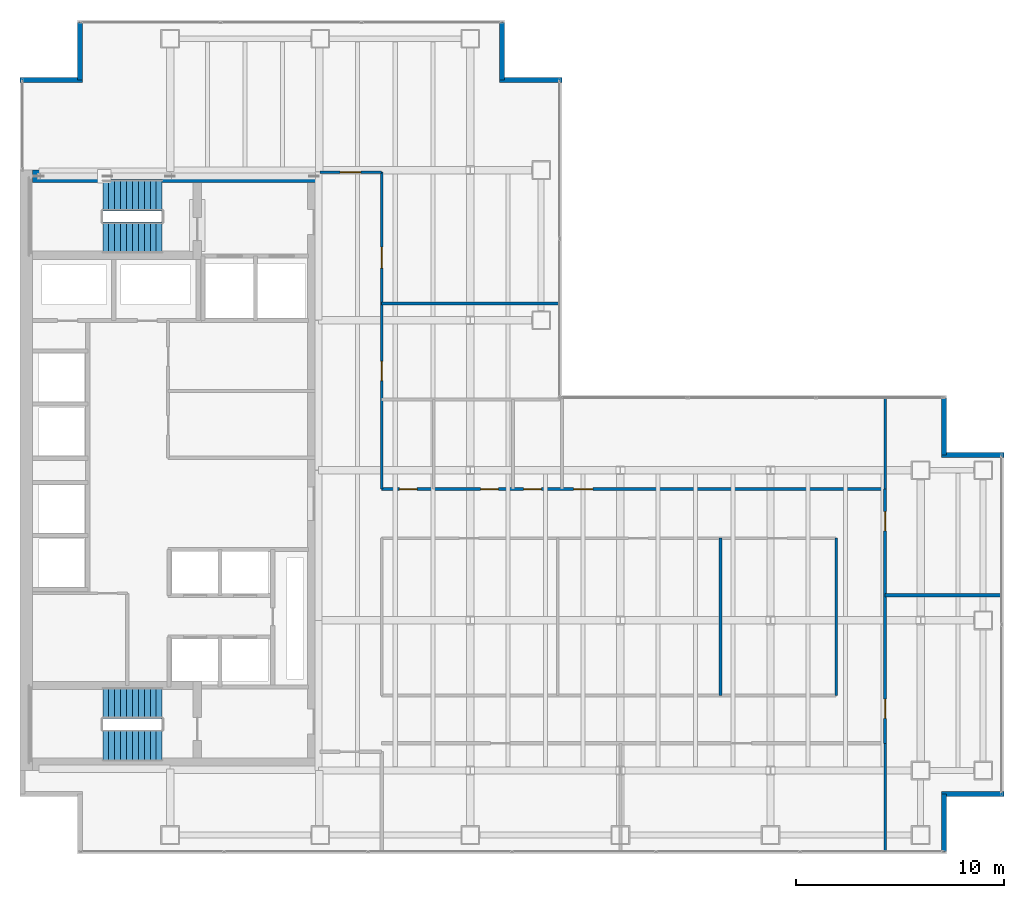
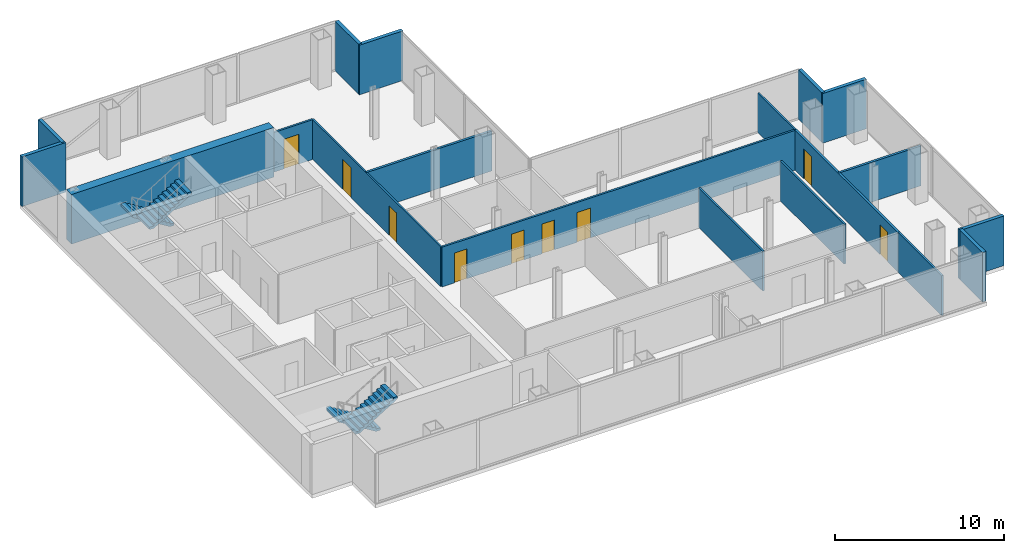
# One storey, part 22 of 23: 19 walls, 9 doors, 4 stair flights, 9 openings, 2 elements without a shape of their own.
"""IFC4 building model written with IfcOpenShell, lengths in metres."""

import ifcopenshell
import ifcopenshell.guid

model = None  # the IFC model being written
_history = None  # IfcOwnerHistory: only IFC2X3 demands one
_inside = {}  # id of a spatial element -> (the spatial element, [elements in it])
_under = {}  # id of a project, library or spatial element -> (it, [spatial elements below it])
_declared = {}  # id of a project -> (the project, [libraries it declares])
_typed = {}  # id of a type object -> (the type object, [elements of that type])
_made_of = {}  # id of a material, layer set ... -> (it, [elements and type objects made of it])


def new_model(schema):
    """Start an empty IFC model of exactly this schema.

    Asked for "IFC4X3", IfcOpenShell would pick the latest addendum, in which some entities
    have other attributes; the version numbers below select the first issue.
    IFC2X3 requires an IfcOwnerHistory on every rooted entity: one is made here for all.
    """
    global model, _history
    if schema == "IFC4X3":
        model = ifcopenshell.file(schema_version=(4, 3, 0, 0))
    else:
        model = ifcopenshell.file(schema=schema)
    _inside.clear()
    _under.clear()
    _declared.clear()
    _typed.clear()
    _made_of.clear()
    _history = None
    if model.schema == "IFC2X3":
        org = make("IfcOrganization", Name="unknown")
        user = make(
            "IfcPersonAndOrganization",
            ThePerson=make("IfcPerson", FamilyName="unknown"),
            TheOrganization=org,
        )
        app = make(
            "IfcApplication",
            ApplicationDeveloper=org,
            Version="unknown",
            ApplicationFullName="unknown",
            ApplicationIdentifier="unknown",
        )
        _history = make(
            "IfcOwnerHistory",
            OwningUser=user,
            OwningApplication=app,
            ChangeAction="ADDED",
            CreationDate=0,
        )
    return model


def make(cls, **values):
    """One entity of the class cls with the attributes given. An attribute that is None is left unset."""
    return model.create_entity(
        cls, **{name: value for name, value in values.items() if value is not None}
    )


def rooted(cls, **values):
    """An entity with a GlobalId (a new one), such as an element, a storey or a relation."""
    return make(cls, GlobalId=ifcopenshell.guid.new(), OwnerHistory=_history, **values)


def si_unit(unit_type, name, prefix=None):
    """IfcSIUnit, for example si_unit("LENGTHUNIT", "METRE", prefix="MILLI")."""
    return make("IfcSIUnit", UnitType=unit_type, Prefix=prefix, Name=name)


def assignment(units):
    """IfcUnitAssignment: the units of a project."""
    return None if units is None else make("IfcUnitAssignment", Units=units)


def point(xyz):
    """IfcCartesianPoint."""
    return None if xyz is None else make("IfcCartesianPoint", Coordinates=xyz)


def direction(xyz):
    """IfcDirection."""
    return None if xyz is None else make("IfcDirection", DirectionRatios=xyz)


def frame(location, z_axis=None, x_axis=None):
    """IfcAxis2Placement3D, a coordinate frame: its origin and axes. An axis left out is left unset."""
    return make(
        "IfcAxis2Placement3D",
        Location=point(location),
        Axis=direction(z_axis),
        RefDirection=direction(x_axis),
    )


def frame_2d(location, x_axis=None):
    """IfcAxis2Placement2D, a coordinate frame in the plane: its origin and x axis."""
    return make(
        "IfcAxis2Placement2D", Location=point(location), RefDirection=direction(x_axis)
    )


def origin():
    """The frame at (0, 0, 0) with its axes left unset."""
    return frame((0.0, 0.0, 0.0))


def place(relative_to, where):
    """IfcLocalPlacement: puts the frame where relative to a parent placement (None: the world)."""
    return make(
        "IfcLocalPlacement", PlacementRelTo=relative_to, RelativePlacement=where
    )


def context(
    kind, dimensions, precision=None, world=None, true_north=None, identifier=None
):
    """IfcGeometricRepresentationContext, for example the 3D "Model" context."""
    return make(
        "IfcGeometricRepresentationContext",
        ContextIdentifier=identifier,
        ContextType=kind,
        CoordinateSpaceDimension=dimensions,
        Precision=precision,
        WorldCoordinateSystem=world,
        TrueNorth=true_north,
    )


def subcontext(parent, identifier, kind, view, scale=None):
    """IfcGeometricRepresentationSubContext, for example "Body" below "Model"."""
    return make(
        "IfcGeometricRepresentationSubContext",
        ContextIdentifier=identifier,
        ContextType=kind,
        ParentContext=parent,
        TargetScale=scale,
        TargetView=view,
    )


def project(units=None, contexts=None):
    """IfcProject with its units and contexts."""
    return rooted(
        "IfcProject",
        Name="project",
        RepresentationContexts=contexts,
        UnitsInContext=assignment(units),
    )


def spatial(cls, under=None, at=None, **own):
    """A site, building, storey or space (cls), placed at a placement, below another one or the project."""
    s = rooted(cls, ObjectPlacement=at, **own)
    if under is not None:
        _under.setdefault(under.id(), (under, []))[1].append(s)
    return s


def polyline(points):
    """IfcPolyline through the points."""
    return make("IfcPolyline", Points=[point(p) for p in points])


def profile(cls, at=None, kind="AREA", **sizes):
    """A parametric profile (cls). Its sizes go by their IFC names, for example OverallWidth=200.0."""
    return make(cls, ProfileType=kind, Position=at, **sizes)


def rectangle(**sizes):
    """IfcRectangleProfileDef."""
    return profile("IfcRectangleProfileDef", **sizes)


def outline(outer, holes=None, kind="AREA"):
    """IfcArbitraryClosedProfileDef: a profile drawn as a closed curve; with holes, ...WithVoids."""
    if holes is None:
        return make("IfcArbitraryClosedProfileDef", ProfileType=kind, OuterCurve=outer)
    return make(
        "IfcArbitraryProfileDefWithVoids",
        ProfileType=kind,
        OuterCurve=outer,
        InnerCurves=holes,
    )


def extrude(swept, where, along, depth):
    """IfcExtrudedAreaSolid: the profile swept, set in the frame where, extruded along a direction by depth."""
    return make(
        "IfcExtrudedAreaSolid",
        SweptArea=swept,
        Position=where,
        ExtrudedDirection=direction(along),
        Depth=depth,
    )


def shape(context_of_items, identifier, shape_type, items):
    """IfcShapeRepresentation: the items that make up one representation, for example the "Body"."""
    return make(
        "IfcShapeRepresentation",
        ContextOfItems=context_of_items,
        RepresentationIdentifier=identifier,
        RepresentationType=shape_type,
        Items=items,
    )


def material(Name=None, Category=None):
    """IfcMaterial."""
    return make("IfcMaterial", Name=Name, Category=Category)


def layer(
    of_material, thickness, ventilated=None, Name=None, Category=None, Priority=None
):
    """IfcMaterialLayer: one layer of a wall or slab, of a material (None: an air gap)."""
    return make(
        "IfcMaterialLayer",
        Material=of_material,
        LayerThickness=thickness,
        IsVentilated=ventilated,
        Name=Name,
        Category=Category,
        Priority=Priority,
    )


def layer_set(layers, Name=None):
    """IfcMaterialLayerSet."""
    return make("IfcMaterialLayerSet", MaterialLayers=layers, LayerSetName=Name)


def made_of(thing, what):
    """Note that an element or type object is made of a material, layer set ...; save() writes the relation."""
    if what is not None:
        _made_of.setdefault(what.id(), (what, []))[1].append(thing)
    return thing


def type_object(cls, material=None, **own):
    """A type object (cls), such as IfcWallType, which elements share."""
    return made_of(rooted(cls, **own), material)


def element(
    cls,
    number,
    at=None,
    inside=None,
    cuts=None,
    type_object=None,
    material=None,
    context=None,
    identifier="Body",
    shape_type=None,
    held_by="IfcProductDefinitionShape",
    body=None,
    shapes=None,
    **own,
):
    """One element of the class cls, such as IfcWall. Its Tag is "e" and its number.

    at: its placement. inside: the storey or other place that contains it. cuts: it is an
    opening in that element (IfcRelVoidsElement). A single representation is given by context,
    identifier, shape_type and body (its items); several are given by shapes. held_by: the class
    of the entity that holds the representations. save() writes the other relations.
    """
    e = rooted(cls, Tag="e%d" % number, ObjectPlacement=at, **own)
    if body is not None:
        shapes = [shape(context, identifier, shape_type, body)]
    if shapes is not None:
        e.Representation = make(held_by, Representations=shapes)
    if inside is not None:
        _inside.setdefault(inside.id(), (inside, []))[1].append(e)
    if cuts is not None:
        rooted(
            "IfcRelVoidsElement", RelatingBuildingElement=cuts, RelatedOpeningElement=e
        )
    if type_object is not None:
        _typed.setdefault(type_object.id(), (type_object, []))[1].append(e)
    return made_of(e, material)


def fill(opening, filler):
    """IfcRelFillsElement: the door or window that sits in an opening."""
    return rooted(
        "IfcRelFillsElement",
        RelatingOpeningElement=opening,
        RelatedBuildingElement=filler,
    )


def aggregate(whole, parts):
    """IfcRelAggregates: a whole, such as a stair, and the parts it consists of."""
    return rooted("IfcRelAggregates", RelatingObject=whole, RelatedObjects=parts)


def save(model, path):
    """Write the relations noted so far, then the file.

    IfcRelAggregates (storeys below a building ...), IfcRelContainedInSpatialStructure (elements
    in a storey), IfcRelDefinesByType, IfcRelAssociatesMaterial and IfcRelDeclares: one each for
    every whole, place, type object, material and project.
    """
    for whole, parts in _under.values():
        aggregate(whole, parts)
    for where, things in _inside.values():
        rooted(
            "IfcRelContainedInSpatialStructure",
            RelatedElements=things,
            RelatingStructure=where,
        )
    for kind, things in _typed.values():
        rooted("IfcRelDefinesByType", RelatedObjects=things, RelatingType=kind)
    for what, things in _made_of.values():
        rooted("IfcRelAssociatesMaterial", RelatedObjects=things, RelatingMaterial=what)
    for by, libraries in _declared.values():
        rooted("IfcRelDeclares", RelatingContext=by, RelatedDefinitions=libraries)
    model.write(path)


model = new_model("IFC4")

# Units and contexts
model_context = context("Model", 3, precision=1e-05, world=origin(), true_north=direction((0.0, 1.0)))
body_context = subcontext(model_context, "Body", "Model", "MODEL_VIEW")
ifc_project = project(units=[si_unit("LENGTHUNIT", "METRE"), si_unit("AREAUNIT", "SQUARE_METRE"), si_unit("VOLUMEUNIT", "CUBIC_METRE"), si_unit("PLANEANGLEUNIT", "RADIAN"), si_unit("MASSUNIT", "GRAM", prefix="KILO")], contexts=[model_context])

# Site, building, storey
site_placement = place(None, origin())
site = spatial("IfcSite", under=ifc_project, at=site_placement, CompositionType="ELEMENT")
building_placement = place(site_placement, origin())
building = spatial("IfcBuilding", under=site, at=building_placement, Name="Cobrela Telecom Tower", CompositionType="ELEMENT")
storey_placement = place(building_placement, frame((0.0, 0.0, 125.300048828125)))
storey = spatial("IfcBuildingStorey", under=building, at=storey_placement, Name="L31", CompositionType="ELEMENT", Elevation=125.300048828125)

# Walls
ifc_material_1 = material(Name="Concrete C50/60", Category="concrete")
ifc_layer_1 = layer(ifc_material_1, 0.60009765625)
ifc_layer_set_1 = layer_set([ifc_layer_1], Name="Concrete C50/60")
wall_type_1 = type_object("IfcWallType", Name="WALL-CORE-C50-600", PredefinedType="SHEAR", material=ifc_layer_set_1)
wall_1_placement = place(storey_placement, frame((0.60009765625, 35.699951171875, 0.0), z_axis=(0.0, 0.0, 1.0), x_axis=(1.0, 0.0, 0.0)))
element("IfcWall", 1, at=wall_1_placement, inside=storey, type_object=wall_type_1, Name="L31 North Core Shear Wall", PredefinedType="SHEAR", context=body_context, shape_type="SweptSolid", body=[
    extrude(rectangle(XDim=13.7998046875, YDim=0.60009765625, at=frame_2d((6.89990234375, 0.0))), origin(), (0.0, 0.0, 1.0), 3.579833984375),
])
ifc_material_2 = material(Name="Concrete C40/50", Category="concrete")
ifc_layer_2 = layer(ifc_material_2, 0.239990234375)
ifc_layer_set_2 = layer_set([ifc_layer_2], Name="Concrete C40/50")
wall_type_2 = type_object("IfcWallType", Name="WALL-EXT-300", PredefinedType="STANDARD", material=ifc_layer_set_2)
wall_2_placement = place(storey_placement, frame((0.0, 40.330078125, 0.0), z_axis=(0.0, 0.0, 1.0), x_axis=(1.0, 0.0, 0.0)))
element("IfcWall", 2, at=wall_2_placement, inside=storey, type_object=wall_type_2, Name="L31 Insulated Facade Wall 05", PredefinedType="STANDARD", context=body_context, shape_type="SweptSolid", body=[
    extrude(rectangle(XDim=2.989990234375, YDim=0.239990234375, at=frame_2d((1.4951171875, 0.0))), origin(), (0.0, 0.0, 1.0), 3.579833984375),
])
for number, where, z_axis, x_axis, name in (
    (3, (2.8701171875, 40.330078125, 0.0), (0.0, 0.0, 1.0), (0.0, 1.0, 0.0), "L31 Insulated Facade Wall 06"),
    (4, (23.1298828125, 43.080078125, 0.0), (0.0, 0.0, 1.0), (0.0, -1.0, 0.0), "L31 Insulated Facade Wall 08"),
):
    element("IfcWall", number, at=place(storey_placement, frame(where, z_axis=z_axis, x_axis=x_axis)), inside=storey, type_object=wall_type_2, Name=name, PredefinedType="STANDARD", context=body_context, shape_type="SweptSolid", body=[
        extrude(rectangle(XDim=2.75, YDim=0.239990234375, at=frame_2d((1.375, 0.0))), origin(), (0.0, 0.0, 1.0), 3.579833984375),
    ])
wall_3_placement = place(storey_placement, frame((23.010009765625, 40.330078125, 0.0), z_axis=(0.0, 0.0, 1.0), x_axis=(1.0, 0.0, 0.0)))
element("IfcWall", 5, at=wall_3_placement, inside=storey, type_object=wall_type_2, Name="L31 Insulated Facade Wall 09", PredefinedType="STANDARD", context=body_context, shape_type="SweptSolid", body=[
    extrude(rectangle(XDim=2.989990234375, YDim=0.239990234375, at=frame_2d((1.4951171875, 0.0))), origin(), (0.0, 0.0, 1.0), 3.579833984375),
])
wall_4_placement = place(storey_placement, frame((44.330078125, 25.080078125, 0.0), z_axis=(0.0, 0.0, 1.0), x_axis=(0.0, -1.0, 0.0)))
element("IfcWall", 6, at=wall_4_placement, inside=storey, type_object=wall_type_2, Name="L31 Insulated Facade Wall 12", PredefinedType="STANDARD", context=body_context, shape_type="SweptSolid", body=[
    extrude(rectangle(XDim=2.75, YDim=0.239990234375, at=frame_2d((1.375, 0.0))), origin(), (0.0, 0.0, 1.0), 3.579833984375),
])
for number, where, z_axis, x_axis, name in (
    (7, (44.2099609375, 22.330078125, 0.0), (0.0, 0.0, 1.0), (1.0, 0.0, 0.0), "L31 Insulated Facade Wall 13"),
    (8, (47.199951171875, 6.070068359375, 0.0), (0.0, 0.0, 1.0), (-1.0, 0.0, 0.0), "L31 Insulated Facade Wall 15"),
):
    element("IfcWall", number, at=place(storey_placement, frame(where, z_axis=z_axis, x_axis=x_axis)), inside=storey, type_object=wall_type_2, Name=name, PredefinedType="STANDARD", context=body_context, shape_type="SweptSolid", body=[
        extrude(rectangle(XDim=2.989990234375, YDim=0.239990234375, at=frame_2d((1.4951171875, 0.0))), origin(), (0.0, 0.0, 1.0), 3.579833984375),
    ])
wall_5_placement = place(storey_placement, frame((44.330078125, 6.070068359375, 0.0), z_axis=(0.0, 0.0, 1.0), x_axis=(0.0, -1.0, 0.0)))
element("IfcWall", 9, at=wall_5_placement, inside=storey, type_object=wall_type_2, Name="L31 Insulated Facade Wall 16", PredefinedType="STANDARD", context=body_context, shape_type="SweptSolid", body=[
    extrude(rectangle(XDim=2.75, YDim=0.239990234375, at=frame_2d((1.375, 0.0))), origin(), (0.0, 0.0, 1.0), 3.579833984375),
])

# Wall, openings, doors
ifc_material_3 = material(Name="Fire-Rated Gypsum Plasterboard")
ifc_layer_3 = layer(ifc_material_3, 0.110107421875)
ifc_layer_set_3 = layer_set([ifc_layer_3], Name="Fire-Rated Gypsum Plasterboard")
wall_type_3 = type_object("IfcWallType", Name="WALL-PART-110", PredefinedType="PARTITIONING", material=ifc_layer_set_3)
wall_6_placement = place(storey_placement, frame((17.35009765625, 20.699951171875, 0.0), z_axis=(0.0, 0.0, 1.0), x_axis=(0.0, 1.0, 0.0)))
wall_6 = element("IfcWall", 10, at=wall_6_placement, inside=storey, type_object=wall_type_3, Name="L31 Interior Partition W-UW-E2", PredefinedType="PARTITIONING", context=body_context, shape_type="SweptSolid", body=[
    extrude(rectangle(XDim=15.199951171875, YDim=0.110107421875, at=frame_2d((7.60009765625, 0.0))), origin(), (0.0, 0.0, 1.0), 2.868896484375),
])
opening_1_placement = place(wall_6_placement, frame((5.199951171875, 0.0, 0.0)))
opening_1 = element("IfcOpeningElement", 11, at=opening_1_placement, cuts=wall_6, Name="Opening DR-45", PredefinedType="OPENING", context=body_context, shape_type="SweptSolid", body=[
    extrude(rectangle(XDim=0.919921875, YDim=2.14990234375, at=frame_2d((0.4599609375, 1.074951171875))), frame((0.0, 0.06689453125, 0.0), z_axis=(0.0, -1.0, 0.0), x_axis=(1.0, 0.0, 0.0)), (0.0, 0.0, 1.0), 0.134033203125),
])
opening_2_placement = place(wall_6_placement, frame((10.60009765625, 0.0, 0.0)))
opening_2 = element("IfcOpeningElement", 12, at=opening_2_placement, cuts=wall_6, Name="Opening DR-31", PredefinedType="OPENING", context=body_context, shape_type="SweptSolid", body=[
    extrude(rectangle(XDim=1.0, YDim=2.14990234375, at=frame_2d((0.5, 1.074951171875))), frame((0.0, 0.06689453125, 0.0), z_axis=(0.0, -1.0, 0.0), x_axis=(1.0, 0.0, 0.0)), (0.0, 0.0, 1.0), 0.134033203125),
])
ifc_material_4 = material(Name="Solid Engineered Oak Timber", Category="wood")
door_type_1 = type_object("IfcDoorType", Name="DOOR-INT-1000", OperationType="SINGLE_SWING_LEFT", PredefinedType="DOOR", material=ifc_material_4)
door_1_placement = place(opening_2_placement, origin())
door_1 = element("IfcDoor", 13, at=door_1_placement, inside=storey, type_object=door_type_1, Name="L31 Door DR-31", OperationType="SINGLE_SWING_LEFT", OverallHeight=2.14990234375, OverallWidth=1.0, PredefinedType="DOOR", context=body_context, shape_type="SweptSolid", body=[
    extrude(rectangle(XDim=1.0, YDim=2.14990234375, at=frame_2d((0.5, 1.074951171875))), frame((0.0, 0.02490234375, 0.0), z_axis=(0.0, -1.0, 0.0), x_axis=(1.0, 0.0, 0.0)), (0.0, 0.0, 1.0), 0.050048828125),
])
fill(opening_2, door_1)
door_type_2 = type_object("IfcDoorType", Name="DOOR-INT-920", OperationType="SINGLE_SWING_LEFT", PredefinedType="DOOR", material=ifc_material_4)
door_2_placement = place(opening_1_placement, origin())
door_2 = element("IfcDoor", 14, at=door_2_placement, inside=storey, type_object=door_type_2, Name="L31 Door DR-45", OperationType="SINGLE_SWING_RIGHT", OverallHeight=2.14990234375, OverallWidth=0.919921875, PredefinedType="DOOR", context=body_context, shape_type="SweptSolid", body=[
    extrude(rectangle(XDim=0.919921875, YDim=2.14990234375, at=frame_2d((0.4599609375, 1.074951171875))), frame((0.0, 0.02490234375, 0.0), z_axis=(0.0, -1.0, 0.0), x_axis=(1.0, 0.0, 0.0)), (0.0, 0.0, 1.0), 0.050048828125),
])
fill(opening_1, door_2)

# Walls
wall_7_placement = place(storey_placement, frame((41.5, 20.699951171875, 0.0), z_axis=(0.0, 0.0, 1.0), x_axis=(0.0, 1.0, 0.0)))
element("IfcWall", 15, at=wall_7_placement, inside=storey, type_object=wall_type_3, Name="L31 Interior Partition W-UFE-N", PredefinedType="PARTITIONING", context=body_context, shape_type="SweptSolid", body=[
    extrude(rectangle(XDim=4.380126953125, YDim=0.110107421875, at=frame_2d((2.18994140625, 0.0))), origin(), (0.0, 0.0, 1.0), 2.868896484375),
])
ifc_layer_4 = layer(ifc_material_3, 0.125)
ifc_layer_set_4 = layer_set([ifc_layer_4], Name="Fire-Rated Gypsum Plasterboard")
wall_type_4 = type_object("IfcWallType", Name="WALL-PART-125", PredefinedType="PARTITIONING", material=ifc_layer_set_4)
for number, where, z_axis, x_axis, name in (
    (16, (39.14990234375, 10.800048828125, 0.0), (0.0, 0.0, 1.0), (0.0, 1.0, 0.0), "L31 Interior Partition W-ISL-E"),
    (17, (33.60009765625, 10.800048828125, 0.0), (0.0, 0.0, 1.0), (0.0, 1.0, 0.0), "L31 Interior Partition W-ISLV-2"),
):
    element("IfcWall", number, at=place(storey_placement, frame(where, z_axis=z_axis, x_axis=x_axis)), inside=storey, type_object=wall_type_4, Name=name, PredefinedType="PARTITIONING", context=body_context, shape_type="SweptSolid", body=[
        extrude(rectangle(XDim=7.550048828125, YDim=0.125, at=frame_2d((3.77490234375, 0.0))), origin(), (0.0, 0.0, 1.0), 2.868896484375),
    ])

# Wall, opening, door
ifc_layer_5 = layer(ifc_material_3, 0.135009765625)
ifc_layer_set_5 = layer_set([ifc_layer_5], Name="Fire-Rated Gypsum Plasterboard")
wall_type_5 = type_object("IfcWallType", Name="WALL-PART-135", PredefinedType="PARTITIONING", material=ifc_layer_set_5)
wall_8_placement = place(storey_placement, frame((14.39990234375, 35.89990234375, 0.0), z_axis=(0.0, 0.0, 1.0), x_axis=(1.0, 0.0, 0.0)))
wall_8 = element("IfcWall", 18, at=wall_8_placement, inside=storey, type_object=wall_type_5, Name="L31 Interior Partition W-UW-N0", PredefinedType="PARTITIONING", context=body_context, shape_type="SweptSolid", body=[
    extrude(rectangle(XDim=2.9501953125, YDim=0.135009765625, at=frame_2d((1.47509765625, 0.0))), origin(), (0.0, 0.0, 1.0), 2.868896484375),
])
opening_3_placement = place(wall_8_placement, frame((0.949951171875, 0.0, 0.0)))
opening_3 = element("IfcOpeningElement", 19, at=opening_3_placement, cuts=wall_8, Name="Opening DR-31", PredefinedType="OPENING", context=body_context, shape_type="SweptSolid", body=[
    extrude(rectangle(XDim=1.0, YDim=2.14990234375, at=frame_2d((0.5, 1.074951171875))), frame((0.0, 0.07958984375, 0.0), z_axis=(0.0, -1.0, 0.0), x_axis=(1.0, 0.0, 0.0)), (0.0, 0.0, 1.0), 0.158935546875),
])
door_3_placement = place(opening_3_placement, origin())
door_3 = element("IfcDoor", 20, at=door_3_placement, inside=storey, type_object=door_type_1, Name="L31 Door DR-31", OperationType="SINGLE_SWING_LEFT", OverallHeight=2.14990234375, OverallWidth=1.0, PredefinedType="DOOR", context=body_context, shape_type="SweptSolid", body=[
    extrude(rectangle(XDim=1.0, YDim=2.14990234375, at=frame_2d((0.5, 1.074951171875))), frame((0.0, 0.02490234375, 0.0), z_axis=(0.0, -1.0, 0.0), x_axis=(1.0, 0.0, 0.0)), (0.0, 0.0, 1.0), 0.050048828125),
])
fill(opening_3, door_3)

# Wall, openings, doors
wall_9_placement = place(storey_placement, frame((17.35009765625, 20.699951171875, 0.0), z_axis=(0.0, 0.0, 1.0), x_axis=(1.0, 0.0, 0.0)))
wall_9 = element("IfcWall", 21, at=wall_9_placement, inside=storey, type_object=wall_type_5, Name="L31 Interior Partition W-UN-N", PredefinedType="PARTITIONING", context=body_context, shape_type="SweptSolid", body=[
    extrude(rectangle(XDim=24.14990234375, YDim=0.135009765625, at=frame_2d((12.074951171875, 0.0))), origin(), (0.0, 0.0, 1.0), 2.868896484375),
])
opening_4_placement = place(wall_9_placement, frame((0.85009765625, 0.0, 0.0)))
opening_4 = element("IfcOpeningElement", 22, at=opening_4_placement, cuts=wall_9, Name="Opening DR-11", PredefinedType="OPENING", context=body_context, shape_type="SweptSolid", body=[
    extrude(rectangle(XDim=0.85009765625, YDim=2.14990234375, at=frame_2d((0.425048828125, 1.074951171875))), frame((0.0, 0.07958984375, 0.0), z_axis=(0.0, -1.0, 0.0), x_axis=(1.0, 0.0, 0.0)), (0.0, 0.0, 1.0), 0.158935546875),
])
opening_5_placement = place(wall_9_placement, frame((4.75, 0.0, 0.0)))
opening_5 = element("IfcOpeningElement", 23, at=opening_5_placement, cuts=wall_9, Name="Opening DR-11", PredefinedType="OPENING", context=body_context, shape_type="SweptSolid", body=[
    extrude(rectangle(XDim=0.85009765625, YDim=2.14990234375, at=frame_2d((0.425048828125, 1.074951171875))), frame((0.0, 0.07958984375, 0.0), z_axis=(0.0, -1.0, 0.0), x_axis=(1.0, 0.0, 0.0)), (0.0, 0.0, 1.0), 0.158935546875),
])
opening_6_placement = place(wall_9_placement, frame((6.81005859375, 0.0, 0.0)))
opening_6 = element("IfcOpeningElement", 24, at=opening_6_placement, cuts=wall_9, Name="Opening DR-11", PredefinedType="OPENING", context=body_context, shape_type="SweptSolid", body=[
    extrude(rectangle(XDim=0.85009765625, YDim=2.14990234375, at=frame_2d((0.425048828125, 1.074951171875))), frame((0.0, 0.07958984375, 0.0), z_axis=(0.0, -1.0, 0.0), x_axis=(1.0, 0.0, 0.0)), (0.0, 0.0, 1.0), 0.158935546875),
])
opening_7_placement = place(wall_9_placement, frame((9.2099609375, 0.0, 0.0)))
opening_7 = element("IfcOpeningElement", 25, at=opening_7_placement, cuts=wall_9, Name="Opening DR-45", PredefinedType="OPENING", context=body_context, shape_type="SweptSolid", body=[
    extrude(rectangle(XDim=0.919921875, YDim=2.14990234375, at=frame_2d((0.4599609375, 1.074951171875))), frame((0.0, 0.07958984375, 0.0), z_axis=(0.0, -1.0, 0.0), x_axis=(1.0, 0.0, 0.0)), (0.0, 0.0, 1.0), 0.158935546875),
])
door_type_3 = type_object("IfcDoorType", Name="DOOR-INT-850", OperationType="SINGLE_SWING_LEFT", PredefinedType="DOOR", material=ifc_material_4)
door_4_placement = place(opening_4_placement, origin())
door_4 = element("IfcDoor", 26, at=door_4_placement, inside=storey, type_object=door_type_3, Name="L31 Door DR-11", OperationType="SINGLE_SWING_LEFT", OverallHeight=2.14990234375, OverallWidth=0.85009765625, PredefinedType="DOOR", context=body_context, shape_type="SweptSolid", body=[
    extrude(rectangle(XDim=0.85009765625, YDim=2.14990234375, at=frame_2d((0.425048828125, 1.074951171875))), frame((0.0, 0.02490234375, 0.0), z_axis=(0.0, -1.0, 0.0), x_axis=(1.0, 0.0, 0.0)), (0.0, 0.0, 1.0), 0.050048828125),
])
fill(opening_4, door_4)
door_5_placement = place(opening_5_placement, origin())
door_5 = element("IfcDoor", 27, at=door_5_placement, inside=storey, type_object=door_type_3, Name="L31 Door DR-11", OperationType="SINGLE_SWING_RIGHT", OverallHeight=2.14990234375, OverallWidth=0.85009765625, PredefinedType="DOOR", context=body_context, shape_type="SweptSolid", body=[
    extrude(rectangle(XDim=0.85009765625, YDim=2.14990234375, at=frame_2d((0.425048828125, 1.074951171875))), frame((0.0, 0.02490234375, 0.0), z_axis=(0.0, -1.0, 0.0), x_axis=(1.0, 0.0, 0.0)), (0.0, 0.0, 1.0), 0.050048828125),
])
fill(opening_5, door_5)
door_6_placement = place(opening_6_placement, origin())
door_6 = element("IfcDoor", 28, at=door_6_placement, inside=storey, type_object=door_type_3, Name="L31 Door DR-11", OperationType="SINGLE_SWING_LEFT", OverallHeight=2.14990234375, OverallWidth=0.85009765625, PredefinedType="DOOR", context=body_context, shape_type="SweptSolid", body=[
    extrude(rectangle(XDim=0.85009765625, YDim=2.14990234375, at=frame_2d((0.425048828125, 1.074951171875))), frame((0.0, 0.02490234375, 0.0), z_axis=(0.0, -1.0, 0.0), x_axis=(1.0, 0.0, 0.0)), (0.0, 0.0, 1.0), 0.050048828125),
])
fill(opening_6, door_6)
door_7_placement = place(opening_7_placement, origin())
door_7 = element("IfcDoor", 29, at=door_7_placement, inside=storey, type_object=door_type_2, Name="L31 Door DR-45", OperationType="SINGLE_SWING_RIGHT", OverallHeight=2.14990234375, OverallWidth=0.919921875, PredefinedType="DOOR", context=body_context, shape_type="SweptSolid", body=[
    extrude(rectangle(XDim=0.919921875, YDim=2.14990234375, at=frame_2d((0.4599609375, 1.074951171875))), frame((0.0, 0.02490234375, 0.0), z_axis=(0.0, -1.0, 0.0), x_axis=(1.0, 0.0, 0.0)), (0.0, 0.0, 1.0), 0.050048828125),
])
fill(opening_7, door_7)

# Wall
wall_10_placement = place(storey_placement, frame((41.5, 3.320068359375, 0.0), z_axis=(0.0, 0.0, 1.0), x_axis=(0.0, 1.0, 0.0)))
element("IfcWall", 30, at=wall_10_placement, inside=storey, type_object=wall_type_5, Name="L31 Interior Partition W-UFE-S", PredefinedType="PARTITIONING", context=body_context, shape_type="SweptSolid", body=[
    extrude(rectangle(XDim=5.179931640625, YDim=0.135009765625, at=frame_2d((2.58984375, 0.0))), origin(), (0.0, 0.0, 1.0), 2.868896484375),
])

# Wall, openings, doors
ifc_layer_6 = layer(ifc_material_3, 0.14990234375)
ifc_layer_set_6 = layer_set([ifc_layer_6], Name="Fire-Rated Gypsum Plasterboard")
wall_type_6 = type_object("IfcWallType", Name="WALL-PART-150", PredefinedType="PARTITIONING", material=ifc_layer_set_6)
wall_11_placement = place(storey_placement, frame((41.5, 8.5, 0.0), z_axis=(0.0, 0.0, 1.0), x_axis=(0.0, 1.0, 0.0)))
wall_11 = element("IfcWall", 31, at=wall_11_placement, inside=storey, type_object=wall_type_6, Name="L31 Interior Partition W-UE-E", PredefinedType="PARTITIONING", context=body_context, shape_type="SweptSolid", body=[
    extrude(rectangle(XDim=12.199951171875, YDim=0.14990234375, at=frame_2d((6.10009765625, 0.0))), origin(), (0.0, 0.0, 1.0), 2.868896484375),
])
opening_8_placement = place(wall_11_placement, frame((1.199951171875, 0.0, 0.0)))
opening_8 = element("IfcOpeningElement", 32, at=opening_8_placement, cuts=wall_11, Name="Opening DR-45", PredefinedType="OPENING", context=body_context, shape_type="SweptSolid", body=[
    extrude(rectangle(XDim=0.919921875, YDim=2.14990234375, at=frame_2d((0.4599609375, 1.074951171875))), frame((0.0, 0.0869140625, 0.0), z_axis=(0.0, -1.0, 0.0), x_axis=(1.0, 0.0, 0.0)), (0.0, 0.0, 1.0), 0.173828125),
])
opening_9_placement = place(wall_11_placement, frame((10.199951171875, 0.0, 0.0)))
opening_9 = element("IfcOpeningElement", 33, at=opening_9_placement, cuts=wall_11, Name="Opening DR-45", PredefinedType="OPENING", context=body_context, shape_type="SweptSolid", body=[
    extrude(rectangle(XDim=0.919921875, YDim=2.14990234375, at=frame_2d((0.4599609375, 1.074951171875))), frame((0.0, 0.0869140625, 0.0), z_axis=(0.0, -1.0, 0.0), x_axis=(1.0, 0.0, 0.0)), (0.0, 0.0, 1.0), 0.173828125),
])
door_8_placement = place(opening_8_placement, origin())
door_8 = element("IfcDoor", 34, at=door_8_placement, inside=storey, type_object=door_type_2, Name="L31 Door DR-45", OperationType="SINGLE_SWING_LEFT", OverallHeight=2.14990234375, OverallWidth=0.919921875, PredefinedType="DOOR", context=body_context, shape_type="SweptSolid", body=[
    extrude(rectangle(XDim=0.919921875, YDim=2.14990234375, at=frame_2d((0.4599609375, 1.074951171875))), frame((0.0, 0.02490234375, 0.0), z_axis=(0.0, -1.0, 0.0), x_axis=(1.0, 0.0, 0.0)), (0.0, 0.0, 1.0), 0.050048828125),
])
fill(opening_8, door_8)
door_9_placement = place(opening_9_placement, origin())
door_9 = element("IfcDoor", 35, at=door_9_placement, inside=storey, type_object=door_type_2, Name="L31 Door DR-45", OperationType="SINGLE_SWING_RIGHT", OverallHeight=2.14990234375, OverallWidth=0.919921875, PredefinedType="DOOR", context=body_context, shape_type="SweptSolid", body=[
    extrude(rectangle(XDim=0.919921875, YDim=2.14990234375, at=frame_2d((0.4599609375, 1.074951171875))), frame((0.0, 0.02490234375, 0.0), z_axis=(0.0, -1.0, 0.0), x_axis=(1.0, 0.0, 0.0)), (0.0, 0.0, 1.0), 0.050048828125),
])
fill(opening_9, door_9)

# Walls
ifc_layer_7 = layer(ifc_material_3, 0.159912109375)
ifc_layer_set_7 = layer_set([ifc_layer_7], Name="Fire-Rated Gypsum Plasterboard")
wall_type_7 = type_object("IfcWallType", Name="WALL-PART-160", PredefinedType="PARTITIONING", material=ifc_layer_set_7)
wall_12_placement = place(storey_placement, frame((17.35009765625, 29.60009765625, 0.0), z_axis=(0.0, 0.0, 1.0), x_axis=(1.0, 0.0, 0.0)))
element("IfcWall", 36, at=wall_12_placement, inside=storey, type_object=wall_type_7, Name="L31 Interior Partition W-NPAN-N", PredefinedType="PARTITIONING", context=body_context, shape_type="SweptSolid", body=[
    extrude(rectangle(XDim=8.52978515625, YDim=0.159912109375, at=frame_2d((4.264892578125, 0.0))), origin(), (0.0, 0.0, 1.0), 2.868896484375),
])
wall_13_placement = place(storey_placement, frame((41.5, 15.60009765625, 0.0), z_axis=(0.0, 0.0, 1.0), x_axis=(1.0, 0.0, 0.0)))
element("IfcWall", 37, at=wall_13_placement, inside=storey, type_object=wall_type_7, Name="L31 Interior Partition W-UFE-H", PredefinedType="PARTITIONING", context=body_context, shape_type="SweptSolid", body=[
    extrude(rectangle(XDim=5.580078125, YDim=0.159912109375, at=frame_2d((2.7900390625, 0.0))), origin(), (0.0, 0.0, 1.0), 2.868896484375),
])

# Stair, stair flights
stair_type = type_object("IfcStairType", Name="STAIR-CORE", PredefinedType="HALF_TURN_STAIR", material=ifc_material_2)
stair_1_placement = place(storey_placement, origin())
stair_1 = element("IfcStair", 38, at=stair_1_placement, inside=storey, type_object=stair_type, Name="L31 Smokeproof Exit Stair ST1", PredefinedType="HALF_TURN_STAIR")
stair_flight_type = type_object("IfcStairFlightType", Name="FLIGHT-CORE", PredefinedType="STRAIGHT", material=ifc_material_2)
stair_flight_1_placement = place(storey_placement, frame((6.820068359375, 34.800048828125, 0.0), z_axis=(0.0, 0.0, 1.0), x_axis=(-1.0, 0.0, 0.0)))
stair_flight_1 = element("IfcStairFlight", 39, at=stair_flight_1_placement, type_object=stair_flight_type, Name="ST1 flight 1", NumberOfRisers=11, NumberOfTreads=10, PredefinedType="STRAIGHT", RiserHeight=0.175, TreadLength=0.285, context=body_context, shape_type="SweptSolid", body=[
    extrude(outline(polyline([(0.0, 0.0), (0.0, 0.175048828125), (0.284912109375, 0.175048828125), (0.284912109375, 0.35009765625), (0.570068359375, 0.35009765625), (0.570068359375, 0.52490234375), (0.85498046875, 0.52490234375), (0.85498046875, 0.699951171875), (1.139892578125, 0.699951171875), (1.139892578125, 0.875), (1.425048828125, 0.875), (1.425048828125, 1.050048828125), (1.7099609375, 1.050048828125), (1.7099609375, 1.22509765625), (1.9951171875, 1.22509765625), (1.9951171875, 1.39990234375), (2.280029296875, 1.39990234375), (2.280029296875, 1.574951171875), (2.56494140625, 1.574951171875), (2.56494140625, 1.75), (2.85009765625, 1.75), (2.85009765625, 1.925048828125), (2.85009765625, 1.573974609375), (0.286376953125, 0.0), (0.0, 0.0)])), frame((0.0, 0.75, 0.0), z_axis=(0.0, -1.0, 0.0), x_axis=(1.0, 0.0, 0.0)), (0.0, 0.0, 1.0), 1.5),
])
stair_flight_2_placement = place(storey_placement, frame((3.969970703125, 32.75, 1.925048828125), z_axis=(0.0, 0.0, 1.0), x_axis=(1.0, 0.0, 0.0)))
stair_flight_2 = element("IfcStairFlight", 40, at=stair_flight_2_placement, type_object=stair_flight_type, Name="ST1 flight 2", NumberOfRisers=11, NumberOfTreads=10, PredefinedType="STRAIGHT", RiserHeight=0.175, TreadLength=0.285, context=body_context, shape_type="SweptSolid", body=[
    extrude(outline(polyline([(0.0, 0.0), (0.0, 0.175048828125), (0.284912109375, 0.175048828125), (0.284912109375, 0.35009765625), (0.570068359375, 0.35009765625), (0.570068359375, 0.52490234375), (0.85498046875, 0.52490234375), (0.85498046875, 0.699951171875), (1.139892578125, 0.699951171875), (1.139892578125, 0.875), (1.425048828125, 0.875), (1.425048828125, 1.050048828125), (1.7099609375, 1.050048828125), (1.7099609375, 1.22509765625), (1.9951171875, 1.22509765625), (1.9951171875, 1.39990234375), (2.280029296875, 1.39990234375), (2.280029296875, 1.574951171875), (2.56494140625, 1.574951171875), (2.56494140625, 1.75), (2.85009765625, 1.75), (2.85009765625, 1.925048828125), (2.85009765625, 1.573974609375), (0.286376953125, 0.0), (0.0, 0.0)])), frame((0.0, 0.75, 0.0), z_axis=(0.0, -1.0, 0.0), x_axis=(1.0, 0.0, 0.0)), (0.0, 0.0, 1.0), 1.5),
])
aggregate(stair_1, [stair_flight_1, stair_flight_2])

stair_2_placement = place(storey_placement, origin())
stair_2 = element("IfcStair", 41, at=stair_2_placement, inside=storey, type_object=stair_type, Name="L31 Smokeproof Exit Stair ST2", PredefinedType="HALF_TURN_STAIR")
stair_flight_3_placement = place(storey_placement, frame((6.820068359375, 10.449951171875, 0.0), z_axis=(0.0, 0.0, 1.0), x_axis=(-1.0, 0.0, 0.0)))
stair_flight_3 = element("IfcStairFlight", 42, at=stair_flight_3_placement, type_object=stair_flight_type, Name="ST2 flight 1", NumberOfRisers=11, NumberOfTreads=10, PredefinedType="STRAIGHT", RiserHeight=0.175, TreadLength=0.285, context=body_context, shape_type="SweptSolid", body=[
    extrude(outline(polyline([(0.0, 0.0), (0.0, 0.175048828125), (0.284912109375, 0.175048828125), (0.284912109375, 0.35009765625), (0.570068359375, 0.35009765625), (0.570068359375, 0.52490234375), (0.85498046875, 0.52490234375), (0.85498046875, 0.699951171875), (1.139892578125, 0.699951171875), (1.139892578125, 0.875), (1.425048828125, 0.875), (1.425048828125, 1.050048828125), (1.7099609375, 1.050048828125), (1.7099609375, 1.22509765625), (1.9951171875, 1.22509765625), (1.9951171875, 1.39990234375), (2.280029296875, 1.39990234375), (2.280029296875, 1.574951171875), (2.56494140625, 1.574951171875), (2.56494140625, 1.75), (2.85009765625, 1.75), (2.85009765625, 1.925048828125), (2.85009765625, 1.573974609375), (0.286376953125, 0.0), (0.0, 0.0)])), frame((0.0, 0.75, 0.0), z_axis=(0.0, -1.0, 0.0), x_axis=(1.0, 0.0, 0.0)), (0.0, 0.0, 1.0), 1.5),
])
stair_flight_4_placement = place(storey_placement, frame((3.969970703125, 8.39990234375, 1.925048828125), z_axis=(0.0, 0.0, 1.0), x_axis=(1.0, 0.0, 0.0)))
stair_flight_4 = element("IfcStairFlight", 43, at=stair_flight_4_placement, type_object=stair_flight_type, Name="ST2 flight 2", NumberOfRisers=11, NumberOfTreads=10, PredefinedType="STRAIGHT", RiserHeight=0.175, TreadLength=0.285, context=body_context, shape_type="SweptSolid", body=[
    extrude(outline(polyline([(0.0, 0.0), (0.0, 0.175048828125), (0.284912109375, 0.175048828125), (0.284912109375, 0.35009765625), (0.570068359375, 0.35009765625), (0.570068359375, 0.52490234375), (0.85498046875, 0.52490234375), (0.85498046875, 0.699951171875), (1.139892578125, 0.699951171875), (1.139892578125, 0.875), (1.425048828125, 0.875), (1.425048828125, 1.050048828125), (1.7099609375, 1.050048828125), (1.7099609375, 1.22509765625), (1.9951171875, 1.22509765625), (1.9951171875, 1.39990234375), (2.280029296875, 1.39990234375), (2.280029296875, 1.574951171875), (2.56494140625, 1.574951171875), (2.56494140625, 1.75), (2.85009765625, 1.75), (2.85009765625, 1.925048828125), (2.85009765625, 1.573974609375), (0.286376953125, 0.0), (0.0, 0.0)])), frame((0.0, 0.75, 0.0), z_axis=(0.0, -1.0, 0.0), x_axis=(1.0, 0.0, 0.0)), (0.0, 0.0, 1.0), 1.5),
])
aggregate(stair_2, [stair_flight_3, stair_flight_4])

save(model, "model.ifc")
